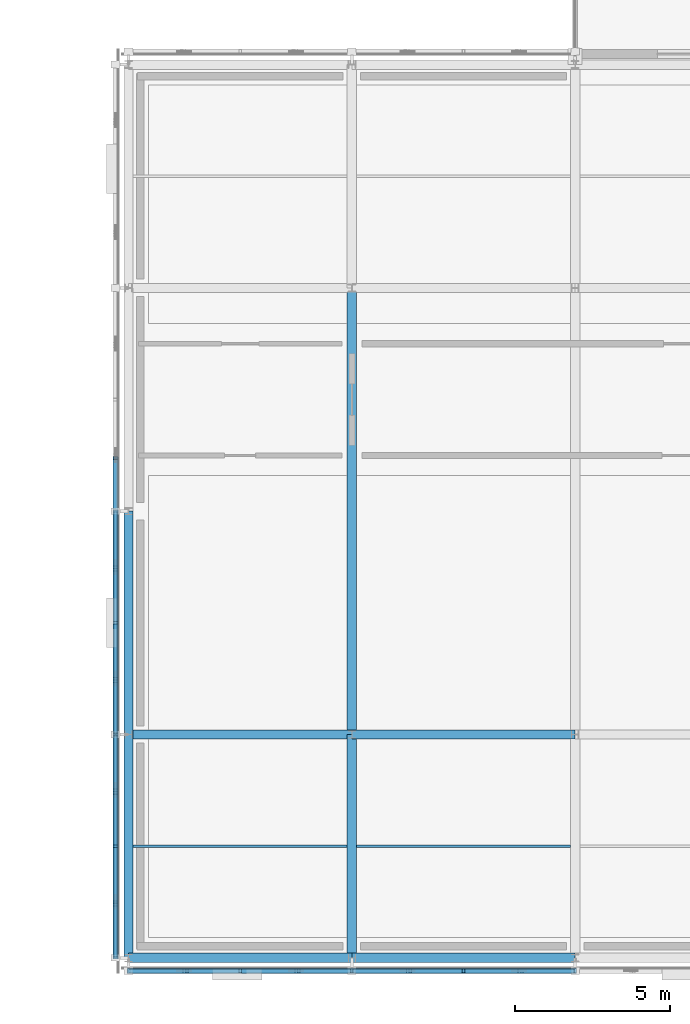
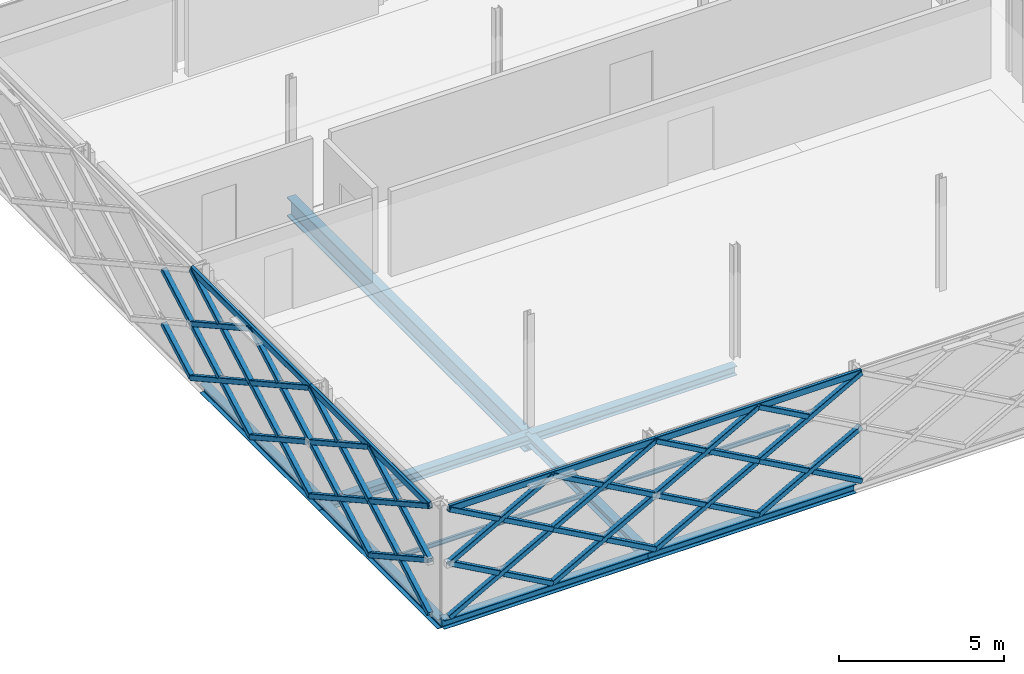
# One storey, part 19 of 126: 53 members, 10 beams.
"""IFC4 building model written with IfcOpenShell, lengths in metres."""

import ifcopenshell
import ifcopenshell.guid

model = None  # the IFC model being written
_history = None  # IfcOwnerHistory: only IFC2X3 demands one
_inside = {}  # id of a spatial element -> (the spatial element, [elements in it])
_under = {}  # id of a project, library or spatial element -> (it, [spatial elements below it])
_declared = {}  # id of a project -> (the project, [libraries it declares])
_typed = {}  # id of a type object -> (the type object, [elements of that type])
_made_of = {}  # id of a material, layer set ... -> (it, [elements and type objects made of it])


def new_model(schema):
    """Start an empty IFC model of exactly this schema.

    Asked for "IFC4X3", IfcOpenShell would pick the latest addendum, in which some entities
    have other attributes; the version numbers below select the first issue.
    IFC2X3 requires an IfcOwnerHistory on every rooted entity: one is made here for all.
    """
    global model, _history
    if schema == "IFC4X3":
        model = ifcopenshell.file(schema_version=(4, 3, 0, 0))
    else:
        model = ifcopenshell.file(schema=schema)
    _inside.clear()
    _under.clear()
    _declared.clear()
    _typed.clear()
    _made_of.clear()
    _history = None
    if model.schema == "IFC2X3":
        org = make("IfcOrganization", Name="unknown")
        user = make(
            "IfcPersonAndOrganization",
            ThePerson=make("IfcPerson", FamilyName="unknown"),
            TheOrganization=org,
        )
        app = make(
            "IfcApplication",
            ApplicationDeveloper=org,
            Version="unknown",
            ApplicationFullName="unknown",
            ApplicationIdentifier="unknown",
        )
        _history = make(
            "IfcOwnerHistory",
            OwningUser=user,
            OwningApplication=app,
            ChangeAction="ADDED",
            CreationDate=0,
        )
    return model


def make(cls, **values):
    """One entity of the class cls with the attributes given. An attribute that is None is left unset."""
    return model.create_entity(
        cls, **{name: value for name, value in values.items() if value is not None}
    )


def rooted(cls, **values):
    """An entity with a GlobalId (a new one), such as an element, a storey or a relation."""
    return make(cls, GlobalId=ifcopenshell.guid.new(), OwnerHistory=_history, **values)


def si_unit(unit_type, name, prefix=None):
    """IfcSIUnit, for example si_unit("LENGTHUNIT", "METRE", prefix="MILLI")."""
    return make("IfcSIUnit", UnitType=unit_type, Prefix=prefix, Name=name)


def assignment(units):
    """IfcUnitAssignment: the units of a project."""
    return None if units is None else make("IfcUnitAssignment", Units=units)


def point(xyz):
    """IfcCartesianPoint."""
    return None if xyz is None else make("IfcCartesianPoint", Coordinates=xyz)


def direction(xyz):
    """IfcDirection."""
    return None if xyz is None else make("IfcDirection", DirectionRatios=xyz)


def frame(location, z_axis=None, x_axis=None):
    """IfcAxis2Placement3D, a coordinate frame: its origin and axes. An axis left out is left unset."""
    return make(
        "IfcAxis2Placement3D",
        Location=point(location),
        Axis=direction(z_axis),
        RefDirection=direction(x_axis),
    )


def frame_2d(location, x_axis=None):
    """IfcAxis2Placement2D, a coordinate frame in the plane: its origin and x axis."""
    return make(
        "IfcAxis2Placement2D", Location=point(location), RefDirection=direction(x_axis)
    )


def origin():
    """The frame at (0, 0, 0) with its axes left unset."""
    return frame((0.0, 0.0, 0.0))


def origin_2d():
    """The frame at (0, 0) in the plane with its x axis left unset."""
    return frame_2d((0.0, 0.0))


def place(relative_to, where):
    """IfcLocalPlacement: puts the frame where relative to a parent placement (None: the world)."""
    return make(
        "IfcLocalPlacement", PlacementRelTo=relative_to, RelativePlacement=where
    )


def context(
    kind, dimensions, precision=None, world=None, true_north=None, identifier=None
):
    """IfcGeometricRepresentationContext, for example the 3D "Model" context."""
    return make(
        "IfcGeometricRepresentationContext",
        ContextIdentifier=identifier,
        ContextType=kind,
        CoordinateSpaceDimension=dimensions,
        Precision=precision,
        WorldCoordinateSystem=world,
        TrueNorth=true_north,
    )


def subcontext(parent, identifier, kind, view, scale=None):
    """IfcGeometricRepresentationSubContext, for example "Body" below "Model"."""
    return make(
        "IfcGeometricRepresentationSubContext",
        ContextIdentifier=identifier,
        ContextType=kind,
        ParentContext=parent,
        TargetScale=scale,
        TargetView=view,
    )


def project(units=None, contexts=None):
    """IfcProject with its units and contexts."""
    return rooted(
        "IfcProject",
        Name="project",
        RepresentationContexts=contexts,
        UnitsInContext=assignment(units),
    )


def spatial(cls, under=None, at=None, **own):
    """A site, building, storey or space (cls), placed at a placement, below another one or the project."""
    s = rooted(cls, ObjectPlacement=at, **own)
    if under is not None:
        _under.setdefault(under.id(), (under, []))[1].append(s)
    return s


def profile(cls, at=None, kind="AREA", **sizes):
    """A parametric profile (cls). Its sizes go by their IFC names, for example OverallWidth=200.0."""
    return make(cls, ProfileType=kind, Position=at, **sizes)


def hollow_rectangle(**sizes):
    """IfcRectangleHollowProfileDef."""
    return profile("IfcRectangleHollowProfileDef", **sizes)


def i_section(**sizes):
    """IfcIShapeProfileDef."""
    return profile("IfcIShapeProfileDef", **sizes)


def extrude(swept, where, along, depth):
    """IfcExtrudedAreaSolid: the profile swept, set in the frame where, extruded along a direction by depth."""
    return make(
        "IfcExtrudedAreaSolid",
        SweptArea=swept,
        Position=where,
        ExtrudedDirection=direction(along),
        Depth=depth,
    )


def shape(context_of_items, identifier, shape_type, items):
    """IfcShapeRepresentation: the items that make up one representation, for example the "Body"."""
    return make(
        "IfcShapeRepresentation",
        ContextOfItems=context_of_items,
        RepresentationIdentifier=identifier,
        RepresentationType=shape_type,
        Items=items,
    )


def material(Name=None, Category=None):
    """IfcMaterial."""
    return make("IfcMaterial", Name=Name, Category=Category)


def material_profile(
    of_material, cross_section, Name=None, Category=None, Priority=None
):
    """IfcMaterialProfile: a cross section and its material."""
    return make(
        "IfcMaterialProfile",
        Name=Name,
        Material=of_material,
        Profile=cross_section,
        Priority=Priority,
        Category=Category,
    )


def profile_set(profiles, Name=None, composite=None):
    """IfcMaterialProfileSet."""
    return make(
        "IfcMaterialProfileSet",
        Name=Name,
        MaterialProfiles=profiles,
        CompositeProfile=composite,
    )


def made_of(thing, what):
    """Note that an element or type object is made of a material, layer set ...; save() writes the relation."""
    if what is not None:
        _made_of.setdefault(what.id(), (what, []))[1].append(thing)
    return thing


def type_object(cls, material=None, **own):
    """A type object (cls), such as IfcWallType, which elements share."""
    return made_of(rooted(cls, **own), material)


def element(
    cls,
    number,
    at=None,
    inside=None,
    cuts=None,
    type_object=None,
    material=None,
    context=None,
    identifier="Body",
    shape_type=None,
    held_by="IfcProductDefinitionShape",
    body=None,
    shapes=None,
    **own,
):
    """One element of the class cls, such as IfcWall. Its Tag is "e" and its number.

    at: its placement. inside: the storey or other place that contains it. cuts: it is an
    opening in that element (IfcRelVoidsElement). A single representation is given by context,
    identifier, shape_type and body (its items); several are given by shapes. held_by: the class
    of the entity that holds the representations. save() writes the other relations.
    """
    e = rooted(cls, Tag="e%d" % number, ObjectPlacement=at, **own)
    if body is not None:
        shapes = [shape(context, identifier, shape_type, body)]
    if shapes is not None:
        e.Representation = make(held_by, Representations=shapes)
    if inside is not None:
        _inside.setdefault(inside.id(), (inside, []))[1].append(e)
    if cuts is not None:
        rooted(
            "IfcRelVoidsElement", RelatingBuildingElement=cuts, RelatedOpeningElement=e
        )
    if type_object is not None:
        _typed.setdefault(type_object.id(), (type_object, []))[1].append(e)
    return made_of(e, material)


def aggregate(whole, parts):
    """IfcRelAggregates: a whole, such as a stair, and the parts it consists of."""
    return rooted("IfcRelAggregates", RelatingObject=whole, RelatedObjects=parts)


def save(model, path):
    """Write the relations noted so far, then the file.

    IfcRelAggregates (storeys below a building ...), IfcRelContainedInSpatialStructure (elements
    in a storey), IfcRelDefinesByType, IfcRelAssociatesMaterial and IfcRelDeclares: one each for
    every whole, place, type object, material and project.
    """
    for whole, parts in _under.values():
        aggregate(whole, parts)
    for where, things in _inside.values():
        rooted(
            "IfcRelContainedInSpatialStructure",
            RelatedElements=things,
            RelatingStructure=where,
        )
    for kind, things in _typed.values():
        rooted("IfcRelDefinesByType", RelatedObjects=things, RelatingType=kind)
    for what, things in _made_of.values():
        rooted("IfcRelAssociatesMaterial", RelatedObjects=things, RelatingMaterial=what)
    for by, libraries in _declared.values():
        rooted("IfcRelDeclares", RelatingContext=by, RelatedDefinitions=libraries)
    model.write(path)


model = new_model("IFC4")

# Units and contexts
model_context = context("Model", 3, precision=1e-05, world=origin(), true_north=direction((0.0, 1.0)))
body_context = subcontext(model_context, "Body", "Model", "MODEL_VIEW")
ifc_project = project(units=[si_unit("LENGTHUNIT", "METRE"), si_unit("AREAUNIT", "SQUARE_METRE"), si_unit("VOLUMEUNIT", "CUBIC_METRE"), si_unit("PLANEANGLEUNIT", "RADIAN"), si_unit("MASSUNIT", "GRAM", prefix="KILO")], contexts=[model_context])

# Site, building, storey
site_placement = place(None, origin())
site = spatial("IfcSite", under=ifc_project, at=site_placement, CompositionType="ELEMENT")
building_placement = place(site_placement, origin())
building = spatial("IfcBuilding", under=site, at=building_placement, Name="Zlatovets Crest Museum", CompositionType="ELEMENT")
storey_placement = place(building_placement, frame((0.0, 0.0, 8.699951171875)))
storey = spatial("IfcBuildingStorey", under=building, at=storey_placement, Name="L02", CompositionType="ELEMENT", Elevation=8.699951171875)

# Beams
ifc_material_1 = material(Name="Structural steel S355J2", Category="steel")
ifc_material_profile_1 = material_profile(ifc_material_1, i_section(OverallWidth=0.300048828125, OverallDepth=0.35009765625, WebThickness=0.010009765625, FlangeThickness=0.017578125, FilletRadius=0.027099609375, at=origin_2d()), Name="HEA 360")
ifc_profile_set_1 = profile_set([ifc_material_profile_1], Name="Structural steel S355J2")
beam_type_1 = type_object("IfcBeamType", Name="Beam_B-03", PredefinedType="BEAM", material=ifc_profile_set_1)
for number, where, z_axis, x_axis, name in (
    (1, (0.0, 0.0, -0.39501953125), (0.0, 1.0, 0.0), (-1.0, 0.0, 0.0), "V3 L02 Grid Beam B-03"),
    (2, (0.0, 7.199951171875, -0.39501953125), (0.0, 1.0, 0.0), (-1.0, 0.0, 0.0), "V3 L02 Grid Beam B-03"),
    (3, (7.199951171875, 0.0, -0.39501953125), (0.0, 1.0, 0.0), (-1.0, 0.0, 0.0), "V3 L02 Grid Beam B-03"),
):
    element("IfcBeam", number, at=place(storey_placement, frame(where, z_axis=z_axis, x_axis=x_axis)), inside=storey, type_object=beam_type_1, Name=name, PredefinedType="BEAM", context=body_context, shape_type="SweptSolid", body=[
        extrude(i_section(OverallWidth=0.300048828125, OverallDepth=0.35009765625, WebThickness=0.010009765625, FlangeThickness=0.017578125, FilletRadius=0.027099609375, at=origin_2d()), origin(), (0.0, 0.0, 1.0), 7.199951171875),
    ])
ifc_material_profile_2 = material_profile(ifc_material_1, i_section(OverallWidth=0.300048828125, OverallDepth=0.699951171875, WebThickness=0.01708984375, FlangeThickness=0.031982421875, FilletRadius=0.027099609375, at=origin_2d()), Name="HEB 700")
ifc_profile_set_2 = profile_set([ifc_material_profile_2], Name="Structural steel S355J2")
beam_type_2 = type_object("IfcBeamType", Name="Beam_B-08", PredefinedType="BEAM", material=ifc_profile_set_2)
beam_1_placement = place(storey_placement, frame((7.199951171875, 7.199951171875, -0.570068359375), z_axis=(0.0, 1.0, 0.0), x_axis=(-1.0, 0.0, 0.0)))
element("IfcBeam", 4, at=beam_1_placement, inside=storey, type_object=beam_type_2, Name="V3 L02 Grid Beam B-08", PredefinedType="BEAM", context=body_context, shape_type="SweptSolid", body=[
    extrude(i_section(OverallWidth=0.300048828125, OverallDepth=0.699951171875, WebThickness=0.01708984375, FlangeThickness=0.031982421875, FilletRadius=0.027099609375, at=origin_2d()), origin(), (0.0, 0.0, 1.0), 14.400146484375),
])
ifc_material_profile_3 = material_profile(ifc_material_1, i_section(OverallWidth=0.300048828125, OverallDepth=0.330078125, WebThickness=0.009521484375, FlangeThickness=0.0166015625, FilletRadius=0.027099609375, at=origin_2d()), Name="HEA 340")
ifc_profile_set_3 = profile_set([ifc_material_profile_3], Name="Structural steel S355J2")
beam_type_3 = type_object("IfcBeamType", Name="Beam_B-11", PredefinedType="BEAM", material=ifc_profile_set_3)
for number, where, z_axis, x_axis, name in (
    (5, (0.0, 0.0, -0.385009765625), (1.0, 0.0, 0.0), (0.0, 1.0, 0.0), "V3 L02 Primary Girder B-11"),
    (6, (7.199951171875, 0.0, -0.385009765625), (1.0, 0.0, 0.0), (0.0, 1.0, 0.0), "V3 L02 Primary Girder B-11"),
    (7, (0.0, 7.199951171875, -0.385009765625), (1.0, 0.0, 0.0), (0.0, 1.0, 0.0), "V3 L02 Primary Girder B-11"),
    (8, (7.199951171875, 7.199951171875, -0.385009765625), (1.0, 0.0, 0.0), (0.0, 1.0, 0.0), "V3 L02 Primary Girder B-11"),
):
    element("IfcBeam", number, at=place(storey_placement, frame(where, z_axis=z_axis, x_axis=x_axis)), inside=storey, type_object=beam_type_3, Name=name, PredefinedType="BEAM", context=body_context, shape_type="SweptSolid", body=[
        extrude(i_section(OverallWidth=0.300048828125, OverallDepth=0.330078125, WebThickness=0.009521484375, FlangeThickness=0.0166015625, FilletRadius=0.027099609375, at=origin_2d()), origin(), (0.0, 0.0, 1.0), 7.199951171875),
    ])
ifc_material_profile_4 = material_profile(ifc_material_1, i_section(OverallWidth=0.08203125, OverallDepth=0.159912109375, WebThickness=0.0048828125, FlangeThickness=0.00732421875, FilletRadius=0.009033203125, at=origin_2d()), Name="IPE 160")
ifc_profile_set_4 = profile_set([ifc_material_profile_4], Name="Structural steel S355J2")
beam_type_4 = type_object("IfcBeamType", Name="Beam_J-12", PredefinedType="JOIST", material=ifc_profile_set_4)
beam_2_placement = place(storey_placement, frame((0.14990234375, 3.60009765625, -0.300048828125), z_axis=(1.0, 0.0, 0.0), x_axis=(0.0, 1.0, 0.0)))
element("IfcBeam", 9, at=beam_2_placement, inside=storey, type_object=beam_type_4, Name="V3 L02 Composite Joist J-12", PredefinedType="JOIST", context=body_context, shape_type="SweptSolid", body=[
    extrude(i_section(OverallWidth=0.08203125, OverallDepth=0.159912109375, WebThickness=0.0048828125, FlangeThickness=0.00732421875, FilletRadius=0.009033203125, at=origin_2d()), origin(), (0.0, 0.0, 1.0), 6.900146484375),
])
beam_3_placement = place(storey_placement, frame((7.35009765625, 3.60009765625, -0.300048828125), z_axis=(1.0, 0.0, 0.0), x_axis=(0.0, 1.0, 0.0)))
element("IfcBeam", 10, at=beam_3_placement, inside=storey, type_object=beam_type_4, Name="V3 L02 Composite Joist J-12", PredefinedType="JOIST", context=body_context, shape_type="SweptSolid", body=[
    extrude(i_section(OverallWidth=0.08203125, OverallDepth=0.159912109375, WebThickness=0.0048828125, FlangeThickness=0.00732421875, FilletRadius=0.009033203125, at=origin_2d()), origin(), (0.0, 0.0, 1.0), 6.89990234375),
])

# Members
ifc_material_2 = material(Name="Weathering bronze-steel S355J2W", Category="steel")
ifc_material_profile_5 = material_profile(ifc_material_2, hollow_rectangle(XDim=0.179931640625, YDim=0.179931640625, WallThickness=0.010009765625, InnerFilletRadius=0.010009765625, OuterFilletRadius=0.02001953125, at=origin_2d()), Name="SHS 180x180x10.0")
ifc_profile_set_5 = profile_set([ifc_material_profile_5], Name="Weathering bronze-steel S355J2W")
member_type_1 = type_object("IfcMemberType", Name="Lattice_XL-01", PredefinedType="BRACE", material=ifc_profile_set_5)
member_1_placement = place(storey_placement, frame((0.0, -0.419921875, 0.10009765625), z_axis=(0.874162868644, 0.0, 0.485632864501), x_axis=(0.0, 1.0, 0.0)))
element("IfcMember", 11, at=member_1_placement, inside=storey, type_object=member_type_1, Name="Continuous Bronze Lattice Diagonal", PredefinedType="BRACE", context=body_context, shape_type="SweptSolid", body=[
    extrude(hollow_rectangle(XDim=0.179931640625, YDim=0.179931640625, WallThickness=0.010009765625, InnerFilletRadius=0.010009765625, OuterFilletRadius=0.02001953125, at=origin_2d()), origin(), (0.0, 0.0, 1.0), 4.118408203125),
])
for number, where, z_axis, x_axis, name in (
    (12, (0.0, -0.419921875, 2.10009765625), (0.874169001841, 0.0, -0.485621824284), (0.0, 1.0, 0.0), "Split Crossing Bronze Lattice Diagonal Upper"),
    (13, (1.883056640625, -0.419921875, 1.053955078125), (0.874169001841, 0.0, -0.485621824284), (0.0, 1.0, 0.0), "Split Crossing Bronze Lattice Diagonal Lower"),
):
    element("IfcMember", number, at=place(storey_placement, frame(where, z_axis=z_axis, x_axis=x_axis)), inside=storey, type_object=member_type_1, Name=name, PredefinedType="BRACE", context=body_context, shape_type="SweptSolid", body=[
        extrude(hollow_rectangle(XDim=0.179931640625, YDim=0.179931640625, WallThickness=0.010009765625, InnerFilletRadius=0.010009765625, OuterFilletRadius=0.02001953125, at=origin_2d()), origin(), (0.0, 0.0, 1.0), 1.964111328125),
    ])
member_2_placement = place(storey_placement, frame((3.60009765625, -0.419921875, 0.10009765625), z_axis=(0.874148886685, 0.0, 0.485658031857), x_axis=(0.0, 1.0, 0.0)))
element("IfcMember", 14, at=member_2_placement, inside=storey, type_object=member_type_1, Name="Continuous Bronze Lattice Diagonal", PredefinedType="BRACE", context=body_context, shape_type="SweptSolid", body=[
    extrude(hollow_rectangle(XDim=0.179931640625, YDim=0.179931640625, WallThickness=0.010009765625, InnerFilletRadius=0.010009765625, OuterFilletRadius=0.02001953125, at=origin_2d()), origin(), (0.0, 0.0, 1.0), 4.1181640625),
])
member_3_placement = place(storey_placement, frame((3.60009765625, -0.419921875, 2.10009765625), z_axis=(0.874139684676, 0.0, -0.48567459443), x_axis=(0.0, 1.0, 0.0)))
element("IfcMember", 15, at=member_3_placement, inside=storey, type_object=member_type_1, Name="Split Crossing Bronze Lattice Diagonal Upper", PredefinedType="BRACE", context=body_context, shape_type="SweptSolid", body=[
    extrude(hollow_rectangle(XDim=0.179931640625, YDim=0.179931640625, WallThickness=0.010009765625, InnerFilletRadius=0.010009765625, OuterFilletRadius=0.02001953125, at=origin_2d()), origin(), (0.0, 0.0, 1.0), 1.9638671875),
])
member_4_placement = place(storey_placement, frame((5.48291015625, -0.419921875, 1.053955078125), z_axis=(0.874169001841, 0.0, -0.485621824284), x_axis=(0.0, 1.0, 0.0)))
element("IfcMember", 16, at=member_4_placement, inside=storey, type_object=member_type_1, Name="Split Crossing Bronze Lattice Diagonal Lower", PredefinedType="BRACE", context=body_context, shape_type="SweptSolid", body=[
    extrude(hollow_rectangle(XDim=0.179931640625, YDim=0.179931640625, WallThickness=0.010009765625, InnerFilletRadius=0.010009765625, OuterFilletRadius=0.02001953125, at=origin_2d()), origin(), (0.0, 0.0, 1.0), 1.964111328125),
])
member_5_placement = place(storey_placement, frame((0.0, -0.419921875, 2.10009765625), z_axis=(0.874162868644, 0.0, 0.485632864501), x_axis=(0.0, 1.0, 0.0)))
element("IfcMember", 17, at=member_5_placement, inside=storey, type_object=member_type_1, Name="Continuous Bronze Lattice Diagonal", PredefinedType="BRACE", context=body_context, shape_type="SweptSolid", body=[
    extrude(hollow_rectangle(XDim=0.179931640625, YDim=0.179931640625, WallThickness=0.010009765625, InnerFilletRadius=0.010009765625, OuterFilletRadius=0.02001953125, at=origin_2d()), origin(), (0.0, 0.0, 1.0), 4.118408203125),
])
for number, where, z_axis, x_axis, name in (
    (18, (0.0, -0.419921875, 4.10009765625), (0.874169001841, 0.0, -0.485621824284), (0.0, 1.0, 0.0), "Split Crossing Bronze Lattice Diagonal Upper"),
    (19, (1.883056640625, -0.419921875, 3.053955078125), (0.874169001841, 0.0, -0.485621824284), (0.0, 1.0, 0.0), "Split Crossing Bronze Lattice Diagonal Lower"),
):
    element("IfcMember", number, at=place(storey_placement, frame(where, z_axis=z_axis, x_axis=x_axis)), inside=storey, type_object=member_type_1, Name=name, PredefinedType="BRACE", context=body_context, shape_type="SweptSolid", body=[
        extrude(hollow_rectangle(XDim=0.179931640625, YDim=0.179931640625, WallThickness=0.010009765625, InnerFilletRadius=0.010009765625, OuterFilletRadius=0.02001953125, at=origin_2d()), origin(), (0.0, 0.0, 1.0), 1.964111328125),
    ])
member_6_placement = place(storey_placement, frame((3.60009765625, -0.419921875, 2.10009765625), z_axis=(0.874148886685, 0.0, 0.485658031857), x_axis=(0.0, 1.0, 0.0)))
element("IfcMember", 20, at=member_6_placement, inside=storey, type_object=member_type_1, Name="Continuous Bronze Lattice Diagonal", PredefinedType="BRACE", context=body_context, shape_type="SweptSolid", body=[
    extrude(hollow_rectangle(XDim=0.179931640625, YDim=0.179931640625, WallThickness=0.010009765625, InnerFilletRadius=0.010009765625, OuterFilletRadius=0.02001953125, at=origin_2d()), origin(), (0.0, 0.0, 1.0), 4.1181640625),
])
member_7_placement = place(storey_placement, frame((3.60009765625, -0.419921875, 4.10009765625), z_axis=(0.874139684676, 0.0, -0.48567459443), x_axis=(0.0, 1.0, 0.0)))
element("IfcMember", 21, at=member_7_placement, inside=storey, type_object=member_type_1, Name="Split Crossing Bronze Lattice Diagonal Upper", PredefinedType="BRACE", context=body_context, shape_type="SweptSolid", body=[
    extrude(hollow_rectangle(XDim=0.179931640625, YDim=0.179931640625, WallThickness=0.010009765625, InnerFilletRadius=0.010009765625, OuterFilletRadius=0.02001953125, at=origin_2d()), origin(), (0.0, 0.0, 1.0), 1.9638671875),
])
member_8_placement = place(storey_placement, frame((5.48291015625, -0.419921875, 3.053955078125), z_axis=(0.874169001841, 0.0, -0.485621824284), x_axis=(0.0, 1.0, 0.0)))
element("IfcMember", 22, at=member_8_placement, inside=storey, type_object=member_type_1, Name="Split Crossing Bronze Lattice Diagonal Lower", PredefinedType="BRACE", context=body_context, shape_type="SweptSolid", body=[
    extrude(hollow_rectangle(XDim=0.179931640625, YDim=0.179931640625, WallThickness=0.010009765625, InnerFilletRadius=0.010009765625, OuterFilletRadius=0.02001953125, at=origin_2d()), origin(), (0.0, 0.0, 1.0), 1.964111328125),
])
member_9_placement = place(storey_placement, frame((7.199951171875, -0.419921875, 0.10009765625), z_axis=(0.874162868644, 0.0, 0.485632864501), x_axis=(0.0, 1.0, 0.0)))
element("IfcMember", 23, at=member_9_placement, inside=storey, type_object=member_type_1, Name="Continuous Bronze Lattice Diagonal", PredefinedType="BRACE", context=body_context, shape_type="SweptSolid", body=[
    extrude(hollow_rectangle(XDim=0.179931640625, YDim=0.179931640625, WallThickness=0.010009765625, InnerFilletRadius=0.010009765625, OuterFilletRadius=0.02001953125, at=origin_2d()), origin(), (0.0, 0.0, 1.0), 4.118408203125),
])
for number, where, z_axis, x_axis, name in (
    (24, (7.199951171875, -0.419921875, 2.10009765625), (0.874169001841, 0.0, -0.485621824284), (0.0, 1.0, 0.0), "Split Crossing Bronze Lattice Diagonal Upper"),
    (25, (9.0830078125, -0.419921875, 1.053955078125), (0.874169001841, 0.0, -0.485621824284), (0.0, 1.0, 0.0), "Split Crossing Bronze Lattice Diagonal Lower"),
):
    element("IfcMember", number, at=place(storey_placement, frame(where, z_axis=z_axis, x_axis=x_axis)), inside=storey, type_object=member_type_1, Name=name, PredefinedType="BRACE", context=body_context, shape_type="SweptSolid", body=[
        extrude(hollow_rectangle(XDim=0.179931640625, YDim=0.179931640625, WallThickness=0.010009765625, InnerFilletRadius=0.010009765625, OuterFilletRadius=0.02001953125, at=origin_2d()), origin(), (0.0, 0.0, 1.0), 1.964111328125),
    ])
member_10_placement = place(storey_placement, frame((10.800048828125, -0.419921875, 0.10009765625), z_axis=(0.874148886685, 0.0, 0.485658031857), x_axis=(0.0, 1.0, 0.0)))
element("IfcMember", 26, at=member_10_placement, inside=storey, type_object=member_type_1, Name="Continuous Bronze Lattice Diagonal", PredefinedType="BRACE", context=body_context, shape_type="SweptSolid", body=[
    extrude(hollow_rectangle(XDim=0.179931640625, YDim=0.179931640625, WallThickness=0.010009765625, InnerFilletRadius=0.010009765625, OuterFilletRadius=0.02001953125, at=origin_2d()), origin(), (0.0, 0.0, 1.0), 4.1181640625),
])
member_11_placement = place(storey_placement, frame((10.800048828125, -0.419921875, 2.10009765625), z_axis=(0.874169001841, 0.0, -0.485621824284), x_axis=(0.0, 1.0, 0.0)))
element("IfcMember", 27, at=member_11_placement, inside=storey, type_object=member_type_1, Name="Split Crossing Bronze Lattice Diagonal Upper", PredefinedType="BRACE", context=body_context, shape_type="SweptSolid", body=[
    extrude(hollow_rectangle(XDim=0.179931640625, YDim=0.179931640625, WallThickness=0.010009765625, InnerFilletRadius=0.010009765625, OuterFilletRadius=0.02001953125, at=origin_2d()), origin(), (0.0, 0.0, 1.0), 1.964111328125),
])
member_12_placement = place(storey_placement, frame((12.68310546875, -0.419921875, 1.053955078125), z_axis=(0.874139684676, 0.0, -0.48567459443), x_axis=(0.0, 1.0, 0.0)))
element("IfcMember", 28, at=member_12_placement, inside=storey, type_object=member_type_1, Name="Split Crossing Bronze Lattice Diagonal Lower", PredefinedType="BRACE", context=body_context, shape_type="SweptSolid", body=[
    extrude(hollow_rectangle(XDim=0.179931640625, YDim=0.179931640625, WallThickness=0.010009765625, InnerFilletRadius=0.010009765625, OuterFilletRadius=0.02001953125, at=origin_2d()), origin(), (0.0, 0.0, 1.0), 1.9638671875),
])
member_13_placement = place(storey_placement, frame((7.199951171875, -0.419921875, 2.10009765625), z_axis=(0.874162868644, 0.0, 0.485632864501), x_axis=(0.0, 1.0, 0.0)))
element("IfcMember", 29, at=member_13_placement, inside=storey, type_object=member_type_1, Name="Continuous Bronze Lattice Diagonal", PredefinedType="BRACE", context=body_context, shape_type="SweptSolid", body=[
    extrude(hollow_rectangle(XDim=0.179931640625, YDim=0.179931640625, WallThickness=0.010009765625, InnerFilletRadius=0.010009765625, OuterFilletRadius=0.02001953125, at=origin_2d()), origin(), (0.0, 0.0, 1.0), 4.118408203125),
])
for number, where, z_axis, x_axis, name in (
    (30, (7.199951171875, -0.419921875, 4.10009765625), (0.874169001841, 0.0, -0.485621824284), (0.0, 1.0, 0.0), "Split Crossing Bronze Lattice Diagonal Upper"),
    (31, (9.0830078125, -0.419921875, 3.053955078125), (0.874169001841, 0.0, -0.485621824284), (0.0, 1.0, 0.0), "Split Crossing Bronze Lattice Diagonal Lower"),
):
    element("IfcMember", number, at=place(storey_placement, frame(where, z_axis=z_axis, x_axis=x_axis)), inside=storey, type_object=member_type_1, Name=name, PredefinedType="BRACE", context=body_context, shape_type="SweptSolid", body=[
        extrude(hollow_rectangle(XDim=0.179931640625, YDim=0.179931640625, WallThickness=0.010009765625, InnerFilletRadius=0.010009765625, OuterFilletRadius=0.02001953125, at=origin_2d()), origin(), (0.0, 0.0, 1.0), 1.964111328125),
    ])
member_14_placement = place(storey_placement, frame((10.800048828125, -0.419921875, 2.10009765625), z_axis=(0.874148886685, 0.0, 0.485658031857), x_axis=(0.0, 1.0, 0.0)))
element("IfcMember", 32, at=member_14_placement, inside=storey, type_object=member_type_1, Name="Continuous Bronze Lattice Diagonal", PredefinedType="BRACE", context=body_context, shape_type="SweptSolid", body=[
    extrude(hollow_rectangle(XDim=0.179931640625, YDim=0.179931640625, WallThickness=0.010009765625, InnerFilletRadius=0.010009765625, OuterFilletRadius=0.02001953125, at=origin_2d()), origin(), (0.0, 0.0, 1.0), 4.1181640625),
])
for number, where, z_axis, x_axis, name in (
    (33, (10.800048828125, -0.419921875, 4.10009765625), (0.874169001841, 0.0, -0.485621824284), (0.0, 1.0, 0.0), "Split Crossing Bronze Lattice Diagonal Upper"),
    (34, (-0.419921875, 16.116943359375, 1.053955078125), (0.0, -0.874169001841, -0.485621824284), (1.0, 0.0, 0.0), "Split Crossing Bronze Lattice Diagonal Lower"),
    (35, (-0.419921875, 16.116943359375, 3.053955078125), (0.0, -0.874169001841, -0.485621824284), (1.0, 0.0, 0.0), "Split Crossing Bronze Lattice Diagonal Lower"),
):
    element("IfcMember", number, at=place(storey_placement, frame(where, z_axis=z_axis, x_axis=x_axis)), inside=storey, type_object=member_type_1, Name=name, PredefinedType="BRACE", context=body_context, shape_type="SweptSolid", body=[
        extrude(hollow_rectangle(XDim=0.179931640625, YDim=0.179931640625, WallThickness=0.010009765625, InnerFilletRadius=0.010009765625, OuterFilletRadius=0.02001953125, at=origin_2d()), origin(), (0.0, 0.0, 1.0), 1.964111328125),
    ])
member_15_placement = place(storey_placement, frame((-0.419921875, 14.39990234375, 0.10009765625), z_axis=(0.0, -0.874148886685, 0.485658031857), x_axis=(1.0, 0.0, 0.0)))
element("IfcMember", 36, at=member_15_placement, inside=storey, type_object=member_type_1, Name="Continuous Bronze Lattice Diagonal", PredefinedType="BRACE", context=body_context, shape_type="SweptSolid", body=[
    extrude(hollow_rectangle(XDim=0.179931640625, YDim=0.179931640625, WallThickness=0.010009765625, InnerFilletRadius=0.010009765625, OuterFilletRadius=0.02001953125, at=origin_2d()), origin(), (0.0, 0.0, 1.0), 4.1181640625),
])
member_16_placement = place(storey_placement, frame((-0.419921875, 14.39990234375, 2.10009765625), z_axis=(0.0, -0.874139684676, -0.48567459443), x_axis=(1.0, 0.0, 0.0)))
element("IfcMember", 37, at=member_16_placement, inside=storey, type_object=member_type_1, Name="Split Crossing Bronze Lattice Diagonal Upper", PredefinedType="BRACE", context=body_context, shape_type="SweptSolid", body=[
    extrude(hollow_rectangle(XDim=0.179931640625, YDim=0.179931640625, WallThickness=0.010009765625, InnerFilletRadius=0.010009765625, OuterFilletRadius=0.02001953125, at=origin_2d()), origin(), (0.0, 0.0, 1.0), 1.9638671875),
])
member_17_placement = place(storey_placement, frame((-0.419921875, 12.51708984375, 1.053955078125), z_axis=(0.0, -0.874169001841, -0.485621824284), x_axis=(1.0, 0.0, 0.0)))
element("IfcMember", 38, at=member_17_placement, inside=storey, type_object=member_type_1, Name="Split Crossing Bronze Lattice Diagonal Lower", PredefinedType="BRACE", context=body_context, shape_type="SweptSolid", body=[
    extrude(hollow_rectangle(XDim=0.179931640625, YDim=0.179931640625, WallThickness=0.010009765625, InnerFilletRadius=0.010009765625, OuterFilletRadius=0.02001953125, at=origin_2d()), origin(), (0.0, 0.0, 1.0), 1.964111328125),
])
member_18_placement = place(storey_placement, frame((-0.419921875, 10.800048828125, 0.10009765625), z_axis=(0.0, -0.874162868644, 0.485632864501), x_axis=(1.0, 0.0, 0.0)))
element("IfcMember", 39, at=member_18_placement, inside=storey, type_object=member_type_1, Name="Continuous Bronze Lattice Diagonal", PredefinedType="BRACE", context=body_context, shape_type="SweptSolid", body=[
    extrude(hollow_rectangle(XDim=0.179931640625, YDim=0.179931640625, WallThickness=0.010009765625, InnerFilletRadius=0.010009765625, OuterFilletRadius=0.02001953125, at=origin_2d()), origin(), (0.0, 0.0, 1.0), 4.118408203125),
])
for number, where, z_axis, x_axis, name in (
    (40, (-0.419921875, 10.800048828125, 2.10009765625), (0.0, -0.874169001841, -0.485621824284), (1.0, 0.0, 0.0), "Split Crossing Bronze Lattice Diagonal Upper"),
    (41, (-0.419921875, 8.9169921875, 1.053955078125), (0.0, -0.874169001841, -0.485621824284), (1.0, 0.0, 0.0), "Split Crossing Bronze Lattice Diagonal Lower"),
):
    element("IfcMember", number, at=place(storey_placement, frame(where, z_axis=z_axis, x_axis=x_axis)), inside=storey, type_object=member_type_1, Name=name, PredefinedType="BRACE", context=body_context, shape_type="SweptSolid", body=[
        extrude(hollow_rectangle(XDim=0.179931640625, YDim=0.179931640625, WallThickness=0.010009765625, InnerFilletRadius=0.010009765625, OuterFilletRadius=0.02001953125, at=origin_2d()), origin(), (0.0, 0.0, 1.0), 1.964111328125),
    ])
member_19_placement = place(storey_placement, frame((-0.419921875, 14.39990234375, 2.10009765625), z_axis=(0.0, -0.874148886685, 0.485658031857), x_axis=(1.0, 0.0, 0.0)))
element("IfcMember", 42, at=member_19_placement, inside=storey, type_object=member_type_1, Name="Continuous Bronze Lattice Diagonal", PredefinedType="BRACE", context=body_context, shape_type="SweptSolid", body=[
    extrude(hollow_rectangle(XDim=0.179931640625, YDim=0.179931640625, WallThickness=0.010009765625, InnerFilletRadius=0.010009765625, OuterFilletRadius=0.02001953125, at=origin_2d()), origin(), (0.0, 0.0, 1.0), 4.1181640625),
])
member_20_placement = place(storey_placement, frame((-0.419921875, 14.39990234375, 4.10009765625), z_axis=(0.0, -0.874139684676, -0.48567459443), x_axis=(1.0, 0.0, 0.0)))
element("IfcMember", 43, at=member_20_placement, inside=storey, type_object=member_type_1, Name="Split Crossing Bronze Lattice Diagonal Upper", PredefinedType="BRACE", context=body_context, shape_type="SweptSolid", body=[
    extrude(hollow_rectangle(XDim=0.179931640625, YDim=0.179931640625, WallThickness=0.010009765625, InnerFilletRadius=0.010009765625, OuterFilletRadius=0.02001953125, at=origin_2d()), origin(), (0.0, 0.0, 1.0), 1.9638671875),
])
member_21_placement = place(storey_placement, frame((-0.419921875, 12.51708984375, 3.053955078125), z_axis=(0.0, -0.874169001841, -0.485621824284), x_axis=(1.0, 0.0, 0.0)))
element("IfcMember", 44, at=member_21_placement, inside=storey, type_object=member_type_1, Name="Split Crossing Bronze Lattice Diagonal Lower", PredefinedType="BRACE", context=body_context, shape_type="SweptSolid", body=[
    extrude(hollow_rectangle(XDim=0.179931640625, YDim=0.179931640625, WallThickness=0.010009765625, InnerFilletRadius=0.010009765625, OuterFilletRadius=0.02001953125, at=origin_2d()), origin(), (0.0, 0.0, 1.0), 1.964111328125),
])
member_22_placement = place(storey_placement, frame((-0.419921875, 10.800048828125, 2.10009765625), z_axis=(0.0, -0.874162868644, 0.485632864501), x_axis=(1.0, 0.0, 0.0)))
element("IfcMember", 45, at=member_22_placement, inside=storey, type_object=member_type_1, Name="Continuous Bronze Lattice Diagonal", PredefinedType="BRACE", context=body_context, shape_type="SweptSolid", body=[
    extrude(hollow_rectangle(XDim=0.179931640625, YDim=0.179931640625, WallThickness=0.010009765625, InnerFilletRadius=0.010009765625, OuterFilletRadius=0.02001953125, at=origin_2d()), origin(), (0.0, 0.0, 1.0), 4.118408203125),
])
for number, where, z_axis, x_axis, name in (
    (46, (-0.419921875, 10.800048828125, 4.10009765625), (0.0, -0.874169001841, -0.485621824284), (1.0, 0.0, 0.0), "Split Crossing Bronze Lattice Diagonal Upper"),
    (47, (-0.419921875, 8.9169921875, 3.053955078125), (0.0, -0.874169001841, -0.485621824284), (1.0, 0.0, 0.0), "Split Crossing Bronze Lattice Diagonal Lower"),
):
    element("IfcMember", number, at=place(storey_placement, frame(where, z_axis=z_axis, x_axis=x_axis)), inside=storey, type_object=member_type_1, Name=name, PredefinedType="BRACE", context=body_context, shape_type="SweptSolid", body=[
        extrude(hollow_rectangle(XDim=0.179931640625, YDim=0.179931640625, WallThickness=0.010009765625, InnerFilletRadius=0.010009765625, OuterFilletRadius=0.02001953125, at=origin_2d()), origin(), (0.0, 0.0, 1.0), 1.964111328125),
    ])
member_23_placement = place(storey_placement, frame((-0.419921875, 7.199951171875, 0.10009765625), z_axis=(0.0, -0.874148886685, 0.485658031857), x_axis=(1.0, 0.0, 0.0)))
element("IfcMember", 48, at=member_23_placement, inside=storey, type_object=member_type_1, Name="Continuous Bronze Lattice Diagonal", PredefinedType="BRACE", context=body_context, shape_type="SweptSolid", body=[
    extrude(hollow_rectangle(XDim=0.179931640625, YDim=0.179931640625, WallThickness=0.010009765625, InnerFilletRadius=0.010009765625, OuterFilletRadius=0.02001953125, at=origin_2d()), origin(), (0.0, 0.0, 1.0), 4.1181640625),
])
member_24_placement = place(storey_placement, frame((-0.419921875, 7.199951171875, 2.10009765625), z_axis=(0.0, -0.874169001841, -0.485621824284), x_axis=(1.0, 0.0, 0.0)))
element("IfcMember", 49, at=member_24_placement, inside=storey, type_object=member_type_1, Name="Split Crossing Bronze Lattice Diagonal Upper", PredefinedType="BRACE", context=body_context, shape_type="SweptSolid", body=[
    extrude(hollow_rectangle(XDim=0.179931640625, YDim=0.179931640625, WallThickness=0.010009765625, InnerFilletRadius=0.010009765625, OuterFilletRadius=0.02001953125, at=origin_2d()), origin(), (0.0, 0.0, 1.0), 1.964111328125),
])
member_25_placement = place(storey_placement, frame((-0.419921875, 5.31689453125, 1.053955078125), z_axis=(0.0, -0.874139684676, -0.48567459443), x_axis=(1.0, 0.0, 0.0)))
element("IfcMember", 50, at=member_25_placement, inside=storey, type_object=member_type_1, Name="Split Crossing Bronze Lattice Diagonal Lower", PredefinedType="BRACE", context=body_context, shape_type="SweptSolid", body=[
    extrude(hollow_rectangle(XDim=0.179931640625, YDim=0.179931640625, WallThickness=0.010009765625, InnerFilletRadius=0.010009765625, OuterFilletRadius=0.02001953125, at=origin_2d()), origin(), (0.0, 0.0, 1.0), 1.9638671875),
])
member_26_placement = place(storey_placement, frame((-0.419921875, 3.60009765625, 0.10009765625), z_axis=(0.0, -0.874162868644, 0.485632864501), x_axis=(1.0, 0.0, 0.0)))
element("IfcMember", 51, at=member_26_placement, inside=storey, type_object=member_type_1, Name="Continuous Bronze Lattice Diagonal", PredefinedType="BRACE", context=body_context, shape_type="SweptSolid", body=[
    extrude(hollow_rectangle(XDim=0.179931640625, YDim=0.179931640625, WallThickness=0.010009765625, InnerFilletRadius=0.010009765625, OuterFilletRadius=0.02001953125, at=origin_2d()), origin(), (0.0, 0.0, 1.0), 4.118408203125),
])
for number, where, z_axis, x_axis, name in (
    (52, (-0.419921875, 3.60009765625, 2.10009765625), (0.0, -0.874169001841, -0.485621824284), (1.0, 0.0, 0.0), "Split Crossing Bronze Lattice Diagonal Upper"),
    (53, (-0.419921875, 1.717041015625, 1.053955078125), (0.0, -0.874169001841, -0.485621824284), (1.0, 0.0, 0.0), "Split Crossing Bronze Lattice Diagonal Lower"),
):
    element("IfcMember", number, at=place(storey_placement, frame(where, z_axis=z_axis, x_axis=x_axis)), inside=storey, type_object=member_type_1, Name=name, PredefinedType="BRACE", context=body_context, shape_type="SweptSolid", body=[
        extrude(hollow_rectangle(XDim=0.179931640625, YDim=0.179931640625, WallThickness=0.010009765625, InnerFilletRadius=0.010009765625, OuterFilletRadius=0.02001953125, at=origin_2d()), origin(), (0.0, 0.0, 1.0), 1.964111328125),
    ])
member_27_placement = place(storey_placement, frame((-0.419921875, 7.199951171875, 2.10009765625), z_axis=(0.0, -0.874148886685, 0.485658031857), x_axis=(1.0, 0.0, 0.0)))
element("IfcMember", 54, at=member_27_placement, inside=storey, type_object=member_type_1, Name="Continuous Bronze Lattice Diagonal", PredefinedType="BRACE", context=body_context, shape_type="SweptSolid", body=[
    extrude(hollow_rectangle(XDim=0.179931640625, YDim=0.179931640625, WallThickness=0.010009765625, InnerFilletRadius=0.010009765625, OuterFilletRadius=0.02001953125, at=origin_2d()), origin(), (0.0, 0.0, 1.0), 4.1181640625),
])
member_28_placement = place(storey_placement, frame((-0.419921875, 7.199951171875, 4.10009765625), z_axis=(0.0, -0.874169001841, -0.485621824284), x_axis=(1.0, 0.0, 0.0)))
element("IfcMember", 55, at=member_28_placement, inside=storey, type_object=member_type_1, Name="Split Crossing Bronze Lattice Diagonal Upper", PredefinedType="BRACE", context=body_context, shape_type="SweptSolid", body=[
    extrude(hollow_rectangle(XDim=0.179931640625, YDim=0.179931640625, WallThickness=0.010009765625, InnerFilletRadius=0.010009765625, OuterFilletRadius=0.02001953125, at=origin_2d()), origin(), (0.0, 0.0, 1.0), 1.964111328125),
])
member_29_placement = place(storey_placement, frame((-0.419921875, 5.31689453125, 3.053955078125), z_axis=(0.0, -0.874139684676, -0.48567459443), x_axis=(1.0, 0.0, 0.0)))
element("IfcMember", 56, at=member_29_placement, inside=storey, type_object=member_type_1, Name="Split Crossing Bronze Lattice Diagonal Lower", PredefinedType="BRACE", context=body_context, shape_type="SweptSolid", body=[
    extrude(hollow_rectangle(XDim=0.179931640625, YDim=0.179931640625, WallThickness=0.010009765625, InnerFilletRadius=0.010009765625, OuterFilletRadius=0.02001953125, at=origin_2d()), origin(), (0.0, 0.0, 1.0), 1.9638671875),
])
member_30_placement = place(storey_placement, frame((-0.419921875, 3.60009765625, 2.10009765625), z_axis=(0.0, -0.874162868644, 0.485632864501), x_axis=(1.0, 0.0, 0.0)))
element("IfcMember", 57, at=member_30_placement, inside=storey, type_object=member_type_1, Name="Continuous Bronze Lattice Diagonal", PredefinedType="BRACE", context=body_context, shape_type="SweptSolid", body=[
    extrude(hollow_rectangle(XDim=0.179931640625, YDim=0.179931640625, WallThickness=0.010009765625, InnerFilletRadius=0.010009765625, OuterFilletRadius=0.02001953125, at=origin_2d()), origin(), (0.0, 0.0, 1.0), 4.118408203125),
])
for number, where, z_axis, x_axis, name in (
    (58, (-0.419921875, 3.60009765625, 4.10009765625), (0.0, -0.874169001841, -0.485621824284), (1.0, 0.0, 0.0), "Split Crossing Bronze Lattice Diagonal Upper"),
    (59, (-0.419921875, 1.717041015625, 3.053955078125), (0.0, -0.874169001841, -0.485621824284), (1.0, 0.0, 0.0), "Split Crossing Bronze Lattice Diagonal Lower"),
):
    element("IfcMember", number, at=place(storey_placement, frame(where, z_axis=z_axis, x_axis=x_axis)), inside=storey, type_object=member_type_1, Name=name, PredefinedType="BRACE", context=body_context, shape_type="SweptSolid", body=[
        extrude(hollow_rectangle(XDim=0.179931640625, YDim=0.179931640625, WallThickness=0.010009765625, InnerFilletRadius=0.010009765625, OuterFilletRadius=0.02001953125, at=origin_2d()), origin(), (0.0, 0.0, 1.0), 1.964111328125),
    ])
ifc_material_profile_6 = material_profile(ifc_material_2, hollow_rectangle(XDim=0.1201171875, YDim=0.239990234375, WallThickness=0.010009765625, InnerFilletRadius=0.010009765625, OuterFilletRadius=0.02001953125, at=origin_2d()), Name="RHS 120x240x10.0")
ifc_profile_set_6 = profile_set([ifc_material_profile_6], Name="Weathering bronze-steel S355J2W")
member_type_2 = type_object("IfcMemberType", Name="Lattice_XL-04", PredefinedType="CHORD", material=ifc_profile_set_6)
for number, where, z_axis, x_axis, name in (
    (60, (0.0, -0.419921875, 4.10009765625), (1.0, 0.0, 0.0), (0.0, 1.0, 0.0), "Art Nouveau Woven Cage Collector Ring Chord"),
    (61, (7.199951171875, -0.419921875, 4.10009765625), (1.0, 0.0, 0.0), (0.0, 1.0, 0.0), "Art Nouveau Woven Cage Collector Ring Chord"),
    (62, (-0.419921875, 14.39990234375, 4.10009765625), (0.0, -1.0, 0.0), (1.0, 0.0, 0.0), "Art Nouveau Woven Cage Collector Ring Chord"),
    (63, (-0.419921875, 7.199951171875, 4.10009765625), (0.0, -1.0, 0.0), (1.0, 0.0, 0.0), "Art Nouveau Woven Cage Collector Ring Chord"),
):
    element("IfcMember", number, at=place(storey_placement, frame(where, z_axis=z_axis, x_axis=x_axis)), inside=storey, type_object=member_type_2, Name=name, PredefinedType="CHORD", context=body_context, shape_type="SweptSolid", body=[
        extrude(hollow_rectangle(XDim=0.1201171875, YDim=0.239990234375, WallThickness=0.010009765625, InnerFilletRadius=0.010009765625, OuterFilletRadius=0.02001953125, at=origin_2d()), origin(), (0.0, 0.0, 1.0), 7.199951171875),
    ])

save(model, "model.ifc")
